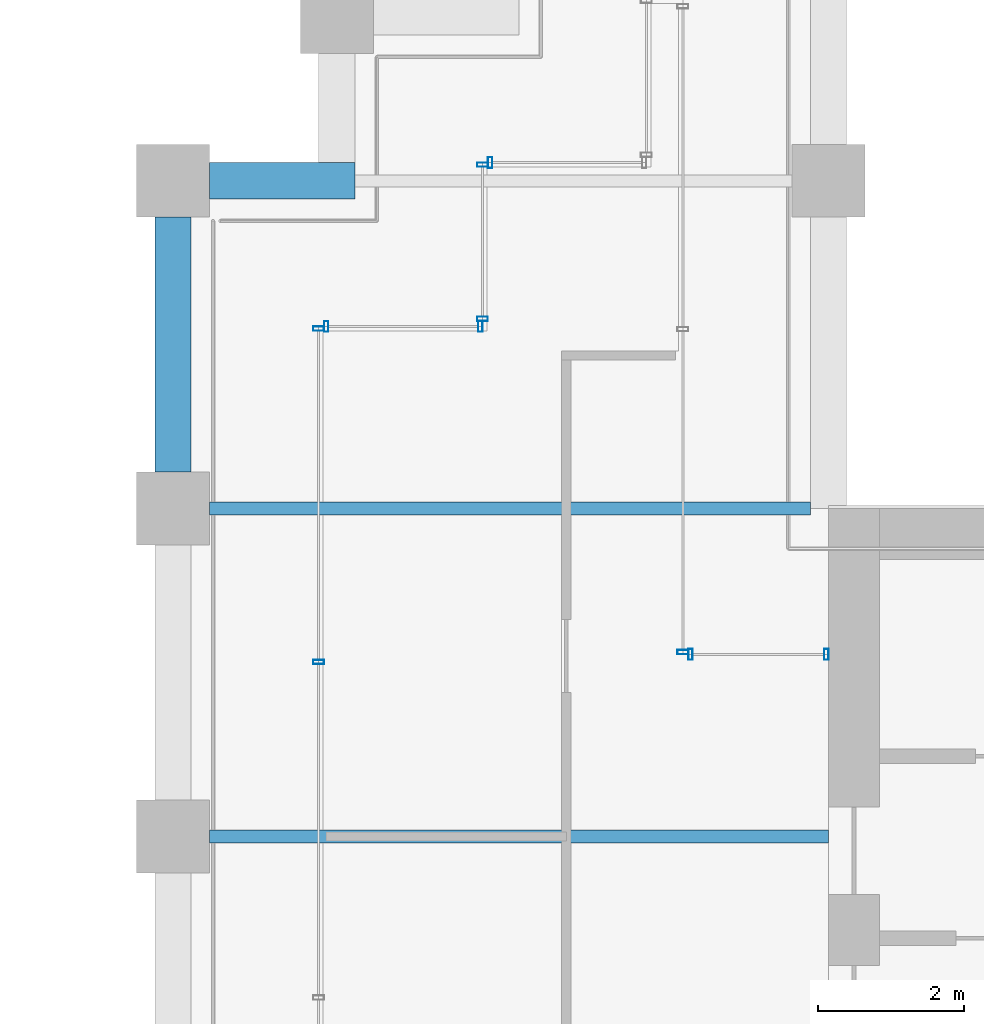
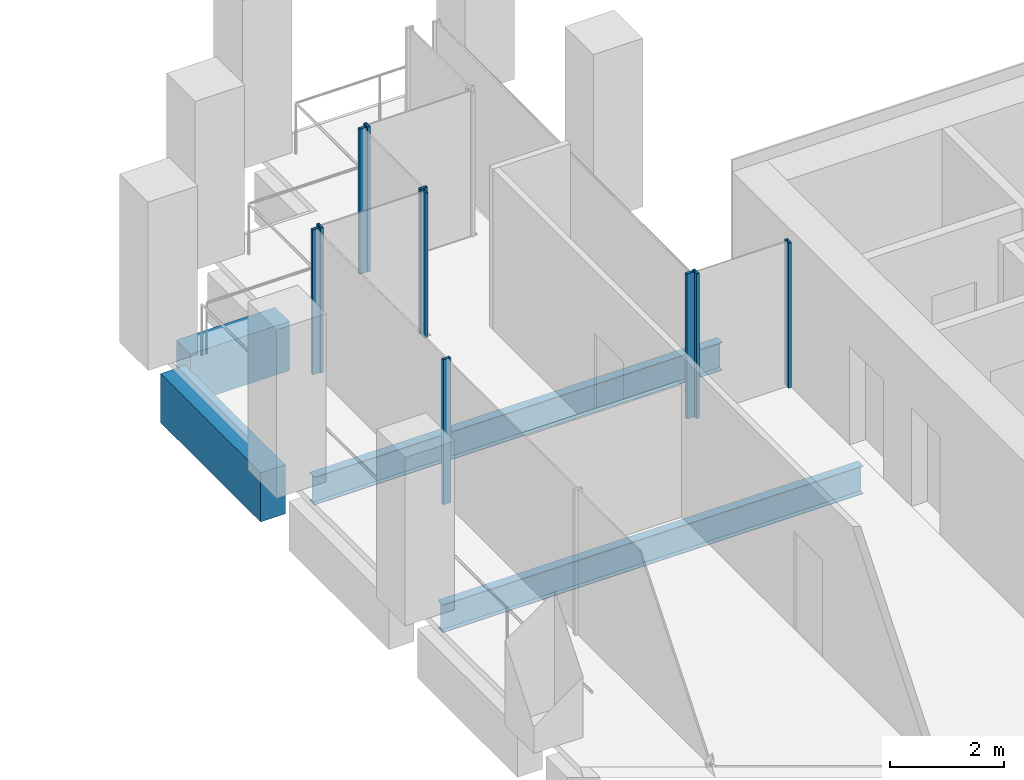
# One storey, part 34 of 46: 10 members, 4 beams, 6 elements without a shape of their own.
"""IFC4 building model written with IfcOpenShell, lengths in metres."""

from ifc_helpers import new_model, si_unit, direction, frame, origin, origin_2d, place, context, subcontext, project, spatial, rectangle, hollow_rectangle, i_section, extrude, material, material_profile, profile_set, type_object, element, aggregate, save


model = new_model("IFC4")

# Units and contexts
model_context = context("Model", 3, precision=1e-05, world=origin(), true_north=direction((0.0, 1.0)))
body_context = subcontext(model_context, "Body", "Model", "MODEL_VIEW")
ifc_project = project(units=[si_unit("LENGTHUNIT", "METRE"), si_unit("AREAUNIT", "SQUARE_METRE"), si_unit("VOLUMEUNIT", "CUBIC_METRE"), si_unit("PLANEANGLEUNIT", "RADIAN"), si_unit("MASSUNIT", "GRAM", prefix="KILO")], contexts=[model_context])

# Site, building, storey
site_placement = place(None, origin())
site = spatial("IfcSite", under=ifc_project, at=site_placement, CompositionType="ELEMENT")
building_placement = place(site_placement, origin())
building = spatial("IfcBuilding", under=site, at=building_placement, Name="Altepetl Exchange Towers", CompositionType="ELEMENT")
storey_placement = place(building_placement, frame((0.0, 0.0, 106.39990234375)))
storey = spatial("IfcBuildingStorey", under=building, at=storey_placement, Name="L26", CompositionType="ELEMENT", Elevation=106.39990234375)

# Beams
ifc_material_1 = material(Name="Steel S355", Category="steel")
ifc_material_profile_1 = material_profile(ifc_material_1, i_section(OverallWidth=0.177978515625, OverallDepth=0.59912109375, WebThickness=0.010009765625, FlangeThickness=0.0126953125, at=origin_2d()), Name="W24X55")
ifc_profile_set_1 = profile_set([ifc_material_profile_1], Name="Steel S355")
beam_type_1 = type_object("IfcBeamType", Name="Floor beam W24X55", PredefinedType="BEAM", material=ifc_profile_set_1)
beam_1_placement = place(storey_placement, frame((95.0, 45.0, -0.449462890625), z_axis=(1.0, 0.0, 0.0), x_axis=(0.0, 1.0, 0.0)))
element("IfcBeam", 1, at=beam_1_placement, inside=storey, type_object=beam_type_1, Name="bm:B:L26:009", PredefinedType="BEAM", context=body_context, shape_type="SweptSolid", body=[
    extrude(i_section(OverallWidth=0.177978515625, OverallDepth=0.59912109375, WebThickness=0.010009765625, FlangeThickness=0.0126953125, at=origin_2d()), origin(), (0.0, 0.0, 1.0), 8.5),
])
beam_2_placement = place(storey_placement, frame((95.0, 49.5, -0.449462890625), z_axis=(1.0, 0.0, 0.0), x_axis=(0.0, 1.0, 0.0)))
element("IfcBeam", 2, at=beam_2_placement, inside=storey, type_object=beam_type_1, Name="bm:B:L26:010", PredefinedType="BEAM", context=body_context, shape_type="SweptSolid", body=[
    extrude(i_section(OverallWidth=0.177978515625, OverallDepth=0.59912109375, WebThickness=0.010009765625, FlangeThickness=0.0126953125, at=origin_2d()), origin(), (0.0, 0.0, 1.0), 8.25),
])

# Curtain wall, members
ifc_material_2 = material(Name="Aluminium 6063-T6 glazing", Category="aluminium")
curtain_wall_type = type_object("IfcCurtainWallType", Name="Loggia glazing system", PredefinedType="NOTDEFINED", material=ifc_material_2)
curtain_wall_1_placement = place(storey_placement, origin())
curtain_wall_1 = element("IfcCurtainWall", 3, at=curtain_wall_1_placement, inside=storey, type_object=curtain_wall_type, Name="CW1 run", PredefinedType="NOTDEFINED")
ifc_material_3 = material(Name="Aluminium 6063-T6", Category="aluminium")
ifc_material_profile_2 = material_profile(ifc_material_3, hollow_rectangle(XDim=0.06005859375, YDim=0.14990234375, WallThickness=0.0029296875, at=origin_2d()), Name="Mullion 60x150 aluminium")
ifc_profile_set_2 = profile_set([ifc_material_profile_2], Name="Aluminium 6063-T6")
member_type = type_object("IfcMemberType", Name="Mullion 60x150 aluminium", PredefinedType="MULLION", material=ifc_profile_set_2)
member_1_placement = place(storey_placement, frame((98.719970703125, 52.0, 0.0), z_axis=(0.0, 0.0, 1.0), x_axis=(-1.0, 0.0, 0.0)))
member_1 = element("IfcMember", 4, at=member_1_placement, type_object=member_type, Name="MU1 mullion", PredefinedType="MULLION", context=body_context, shape_type="SweptSolid", body=[
    extrude(hollow_rectangle(XDim=0.06005859375, YDim=0.14990234375, WallThickness=0.0029296875, at=origin_2d()), origin(), (0.0, 0.0, 1.0), 3.10009765625),
])
member_2_placement = place(storey_placement, frame((96.60498046875, 52.0, 0.0), z_axis=(0.0, 0.0, 1.0), x_axis=(-1.0, 0.0, 0.0)))
member_2 = element("IfcMember", 5, at=member_2_placement, type_object=member_type, Name="MU1 mullion", PredefinedType="MULLION", context=body_context, shape_type="SweptSolid", body=[
    extrude(hollow_rectangle(XDim=0.06005859375, YDim=0.14990234375, WallThickness=0.0029296875, at=origin_2d()), origin(), (0.0, 0.0, 1.0), 3.10009765625),
])
aggregate(curtain_wall_1, [member_1, member_2])

curtain_wall_2_placement = place(storey_placement, origin())
curtain_wall_2 = element("IfcCurtainWall", 6, at=curtain_wall_2_placement, inside=storey, type_object=curtain_wall_type, Name="CW1 run", PredefinedType="NOTDEFINED")
member_3_placement = place(storey_placement, frame((96.5, 51.969970703125, 0.0), z_axis=(0.0, 0.0, 1.0), x_axis=(0.0, -1.0, 0.0)))
member_3 = element("IfcMember", 7, at=member_3_placement, type_object=member_type, Name="MU1 mullion", PredefinedType="MULLION", context=body_context, shape_type="SweptSolid", body=[
    extrude(hollow_rectangle(XDim=0.06005859375, YDim=0.14990234375, WallThickness=0.0029296875, at=origin_2d()), origin(), (0.0, 0.0, 1.0), 3.10009765625),
])
member_4_placement = place(storey_placement, frame((96.5, 47.393798828125, 0.0), z_axis=(0.0, 0.0, 1.0), x_axis=(0.0, -1.0, 0.0)))
member_4 = element("IfcMember", 8, at=member_4_placement, type_object=member_type, Name="MU1 mullion", PredefinedType="MULLION", context=body_context, shape_type="SweptSolid", body=[
    extrude(hollow_rectangle(XDim=0.06005859375, YDim=0.14990234375, WallThickness=0.0029296875, at=origin_2d()), origin(), (0.0, 0.0, 1.0), 3.10009765625),
])
aggregate(curtain_wall_2, [member_3, member_4])

curtain_wall_3_placement = place(storey_placement, origin())
curtain_wall_3 = element("IfcCurtainWall", 9, at=curtain_wall_3_placement, inside=storey, type_object=curtain_wall_type, Name="CW1 run", PredefinedType="NOTDEFINED")
member_5_placement = place(storey_placement, frame((103.469970703125, 47.5, 0.0), z_axis=(0.0, 0.0, 1.0), x_axis=(-1.0, 0.0, 0.0)))
member_5 = element("IfcMember", 10, at=member_5_placement, type_object=member_type, Name="MU1 mullion", PredefinedType="MULLION", context=body_context, shape_type="SweptSolid", body=[
    extrude(hollow_rectangle(XDim=0.06005859375, YDim=0.14990234375, WallThickness=0.0029296875, at=origin_2d()), origin(), (0.0, 0.0, 1.0), 3.10009765625),
])
member_6_placement = place(storey_placement, frame((101.60498046875, 47.5, 0.0), z_axis=(0.0, 0.0, 1.0), x_axis=(-1.0, 0.0, 0.0)))
member_6 = element("IfcMember", 11, at=member_6_placement, type_object=member_type, Name="MU1 mullion", PredefinedType="MULLION", context=body_context, shape_type="SweptSolid", body=[
    extrude(hollow_rectangle(XDim=0.06005859375, YDim=0.14990234375, WallThickness=0.0029296875, at=origin_2d()), origin(), (0.0, 0.0, 1.0), 3.10009765625),
])
aggregate(curtain_wall_3, [member_5, member_6])

# Curtain wall, member
curtain_wall_4_placement = place(storey_placement, origin())
curtain_wall_4 = element("IfcCurtainWall", 12, at=curtain_wall_4_placement, inside=storey, type_object=curtain_wall_type, Name="CW1 run", PredefinedType="NOTDEFINED")
member_7_placement = place(storey_placement, frame((101.5, 47.530029296875, 0.0), z_axis=(0.0, 0.0, 1.0), x_axis=(0.0, 1.0, 0.0)))
member_7 = element("IfcMember", 13, at=member_7_placement, type_object=member_type, Name="MU1 mullion", PredefinedType="MULLION", context=body_context, shape_type="SweptSolid", body=[
    extrude(hollow_rectangle(XDim=0.06005859375, YDim=0.14990234375, WallThickness=0.0029296875, at=origin_2d()), origin(), (0.0, 0.0, 1.0), 3.10009765625),
])
aggregate(curtain_wall_4, [member_7])

curtain_wall_5_placement = place(storey_placement, origin())
curtain_wall_5 = element("IfcCurtainWall", 14, at=curtain_wall_5_placement, inside=storey, type_object=curtain_wall_type, Name="CW1 run", PredefinedType="NOTDEFINED")
member_8_placement = place(storey_placement, frame((98.85498046875, 54.25, 0.0), z_axis=(0.0, 0.0, 1.0), x_axis=(-1.0, 0.0, 0.0)))
member_8 = element("IfcMember", 15, at=member_8_placement, type_object=member_type, Name="MU1 mullion", PredefinedType="MULLION", context=body_context, shape_type="SweptSolid", body=[
    extrude(hollow_rectangle(XDim=0.06005859375, YDim=0.14990234375, WallThickness=0.0029296875, at=origin_2d()), origin(), (0.0, 0.0, 1.0), 3.10009765625),
])
aggregate(curtain_wall_5, [member_8])

# Curtain wall, members
curtain_wall_6_placement = place(storey_placement, origin())
curtain_wall_6 = element("IfcCurtainWall", 16, at=curtain_wall_6_placement, inside=storey, type_object=curtain_wall_type, Name="CW1 run", PredefinedType="NOTDEFINED")
member_9_placement = place(storey_placement, frame((98.75, 54.219970703125, 0.0), z_axis=(0.0, 0.0, 1.0), x_axis=(0.0, -1.0, 0.0)))
member_9 = element("IfcMember", 17, at=member_9_placement, type_object=member_type, Name="MU1 mullion", PredefinedType="MULLION", context=body_context, shape_type="SweptSolid", body=[
    extrude(hollow_rectangle(XDim=0.06005859375, YDim=0.14990234375, WallThickness=0.0029296875, at=origin_2d()), origin(), (0.0, 0.0, 1.0), 3.10009765625),
])
member_10_placement = place(storey_placement, frame((98.75, 52.10498046875, 0.0), z_axis=(0.0, 0.0, 1.0), x_axis=(0.0, -1.0, 0.0)))
member_10 = element("IfcMember", 18, at=member_10_placement, type_object=member_type, Name="MU1 mullion", PredefinedType="MULLION", context=body_context, shape_type="SweptSolid", body=[
    extrude(hollow_rectangle(XDim=0.06005859375, YDim=0.14990234375, WallThickness=0.0029296875, at=origin_2d()), origin(), (0.0, 0.0, 1.0), 3.10009765625),
])
aggregate(curtain_wall_6, [member_9, member_10])

# Beams
ifc_material_4 = material(Name="Concrete C50/60 precast with cantera rosa facing", Category="concrete")
ifc_material_profile_3 = material_profile(ifc_material_4, rectangle(XDim=0.5, YDim=1.050048828125, at=origin_2d()), Name="500 x 1050")
ifc_profile_set_3 = profile_set([ifc_material_profile_3], Name="Concrete C50/60 precast with cantera rosa facing")
beam_type_2 = type_object("IfcBeamType", Name="Spandrel beam 500x1050 cantera rosa", PredefinedType="SPANDREL", material=ifc_profile_set_3)
beam_3_placement = place(storey_placement, frame((97.0, 54.0, -0.6748046875), z_axis=(-1.0, 0.0, 0.0), x_axis=(0.0, -1.0, 0.0)))
element("IfcBeam", 19, at=beam_3_placement, inside=storey, type_object=beam_type_2, Name="sp:B:L26:021", PredefinedType="SPANDREL", context=body_context, shape_type="SweptSolid", body=[
    extrude(rectangle(XDim=0.5, YDim=1.050048828125, at=origin_2d()), origin(), (0.0, 0.0, 1.0), 2.0),
])
beam_4_placement = place(storey_placement, frame((94.5, 53.5, -0.6748046875), z_axis=(0.0, -1.0, 0.0), x_axis=(1.0, 0.0, 0.0)))
element("IfcBeam", 20, at=beam_4_placement, inside=storey, type_object=beam_type_2, Name="sp:B:L26:022", PredefinedType="SPANDREL", context=body_context, shape_type="SweptSolid", body=[
    extrude(rectangle(XDim=0.5, YDim=1.050048828125, at=origin_2d()), origin(), (0.0, 0.0, 1.0), 3.5),
])

save(model, "model.ifc")
